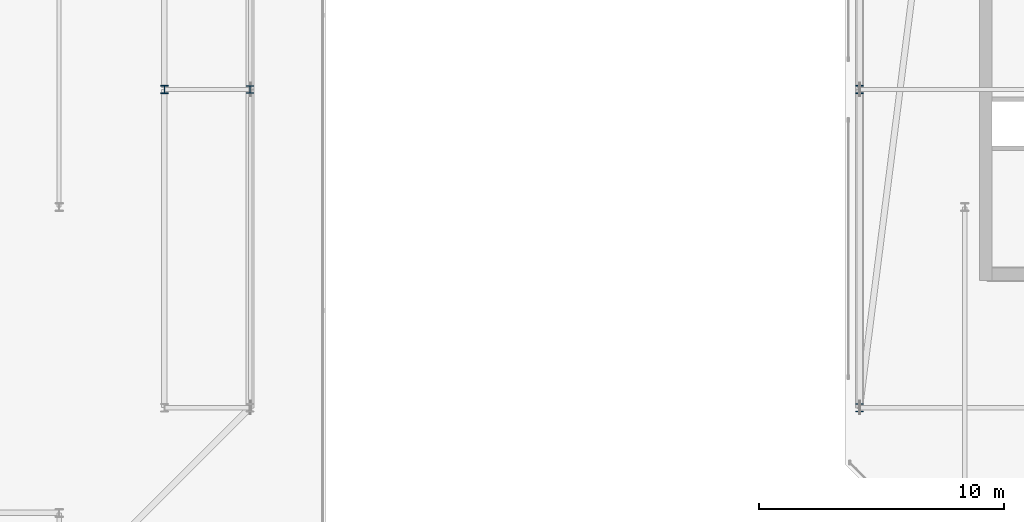
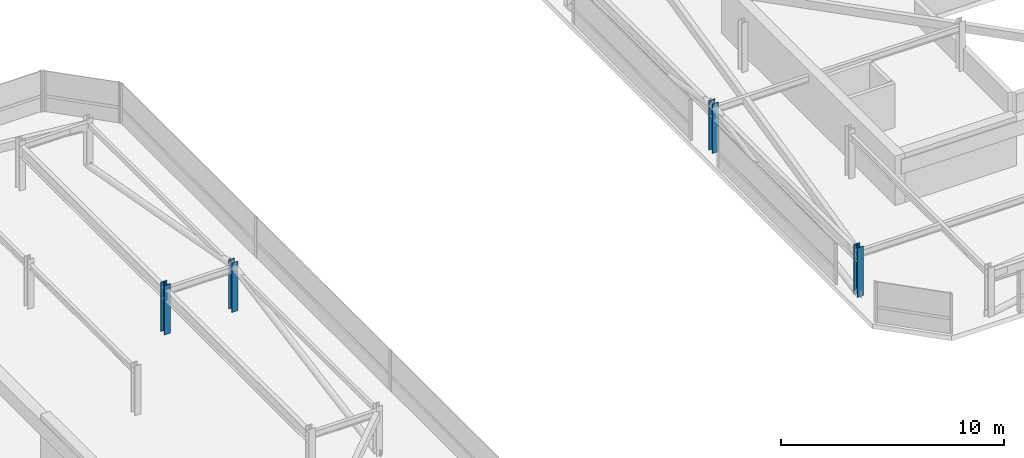
# One storey, part 2 of 42: 4 columns.
"""IFC4 building model written with IfcOpenShell, lengths in metres."""

from ifc_helpers import new_model, si_unit, direction, frame, origin, origin_2d, place, context, subcontext, project, spatial, i_section, extrude, material, material_profile, profile_set, type_object, element, save


model = new_model("IFC4")

# Units and contexts
model_context = context("Model", 3, precision=1e-05, world=origin(), true_north=direction((0.0, 1.0)))
body_context = subcontext(model_context, "Body", "Model", "MODEL_VIEW")
ifc_project = project(units=[si_unit("LENGTHUNIT", "METRE"), si_unit("AREAUNIT", "SQUARE_METRE"), si_unit("VOLUMEUNIT", "CUBIC_METRE"), si_unit("PLANEANGLEUNIT", "RADIAN"), si_unit("MASSUNIT", "GRAM", prefix="KILO")], contexts=[model_context])

# Site, building, storey
site_placement = place(None, origin())
site = spatial("IfcSite", under=ifc_project, at=site_placement, CompositionType="ELEMENT")
building_placement = place(site_placement, origin())
building = spatial("IfcBuilding", under=site, at=building_placement, Name="Thornwick Lancets Civic Towers", CompositionType="ELEMENT")
storey_placement = place(building_placement, frame((0.0, 0.0, 284.10009765625)))
storey = spatial("IfcBuildingStorey", under=building, at=storey_placement, Name="C02", CompositionType="ELEMENT", Elevation=284.10009765625)

# Columns
ifc_material = material(Name="Steel S355JR", Category="steel")
ifc_material_profile_1 = material_profile(ifc_material, i_section(OverallWidth=0.30908203125, OverallDepth=0.320556640625, WebThickness=0.013916015625, FlangeThickness=0.021728515625, FilletRadius=0.01513671875, at=origin_2d()), Name="UKC 305x305x137")
ifc_profile_set_1 = profile_set([ifc_material_profile_1], Name="Steel S355JR")
column_type_1 = type_object("IfcColumnType", Name="COL_UKC_137", PredefinedType="COLUMN", material=ifc_profile_set_1)
column_placement = place(storey_placement, frame((46.300048828125, 27.0, 0.0), z_axis=(0.0, 0.0, 1.0), x_axis=(1.0, 0.0, 0.0)))
element("IfcColumn", 1, at=column_placement, inside=storey, type_object=column_type_1, Name="C02 Block Perimeter Column A05", PredefinedType="COLUMN", context=body_context, shape_type="SweptSolid", body=[
    extrude(i_section(OverallWidth=0.30908203125, OverallDepth=0.320556640625, WebThickness=0.013916015625, FlangeThickness=0.021728515625, FilletRadius=0.01513671875, at=origin_2d()), origin(), (0.0, 0.0, 1.0), 2.699951171875),
])
ifc_material_profile_2 = material_profile(ifc_material, i_section(OverallWidth=0.314453125, OverallDepth=0.33984375, WebThickness=0.01904296875, FlangeThickness=0.031494140625, FilletRadius=0.01513671875, at=origin_2d()), Name="UKC 305x305x198")
ifc_profile_set_2 = profile_set([ifc_material_profile_2], Name="Steel S355JR")
column_type_2 = type_object("IfcColumnType", Name="COL_UKC_198", PredefinedType="COLUMN", material=ifc_profile_set_2)
for number, where, z_axis, x_axis, name in (
    (2, (42.800048828125, 27.0, 0.0), (0.0, 0.0, 1.0), (1.0, 0.0, 0.0), "C02 Spine Mega-Column A05"),
    (3, (71.199951171875, 14.0, 0.0), (0.0, 0.0, 1.0), (1.0, 0.0, 0.0), "C02 Spine Mega-Column B07"),
    (4, (71.199951171875, 27.0, 0.0), (0.0, 0.0, 1.0), (1.0, 0.0, 0.0), "C02 Spine Mega-Column B08"),
):
    element("IfcColumn", number, at=place(storey_placement, frame(where, z_axis=z_axis, x_axis=x_axis)), inside=storey, type_object=column_type_2, Name=name, PredefinedType="COLUMN", context=body_context, shape_type="SweptSolid", body=[
        extrude(i_section(OverallWidth=0.314453125, OverallDepth=0.33984375, WebThickness=0.01904296875, FlangeThickness=0.031494140625, FilletRadius=0.01513671875, at=origin_2d()), origin(), (0.0, 0.0, 1.0), 2.699951171875),
    ])

save(model, "model.ifc")
